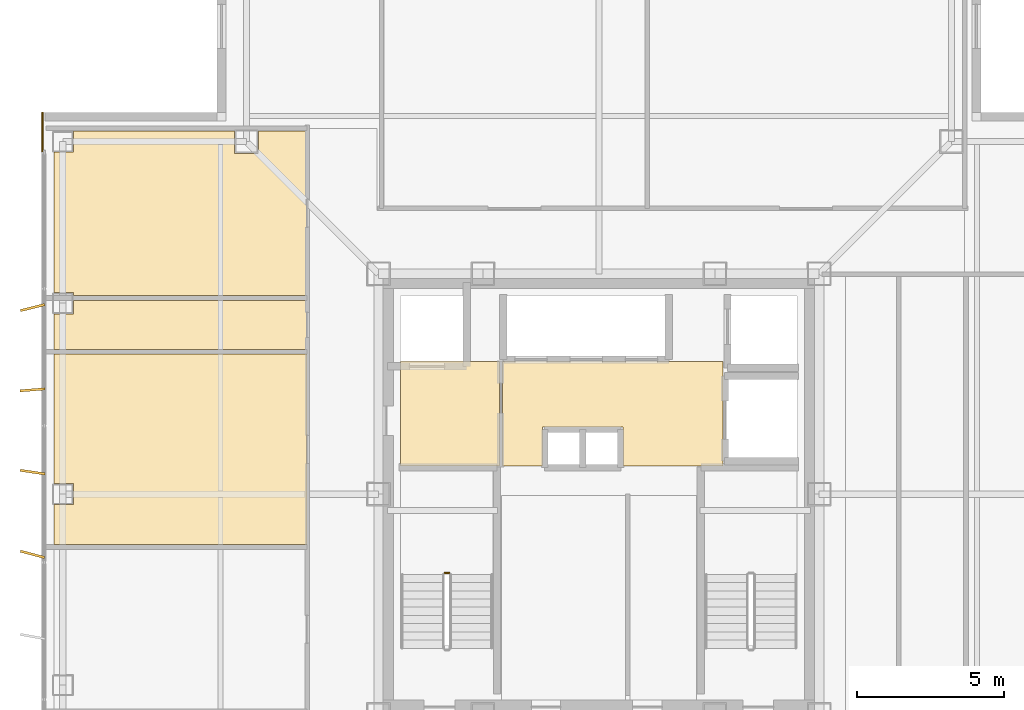
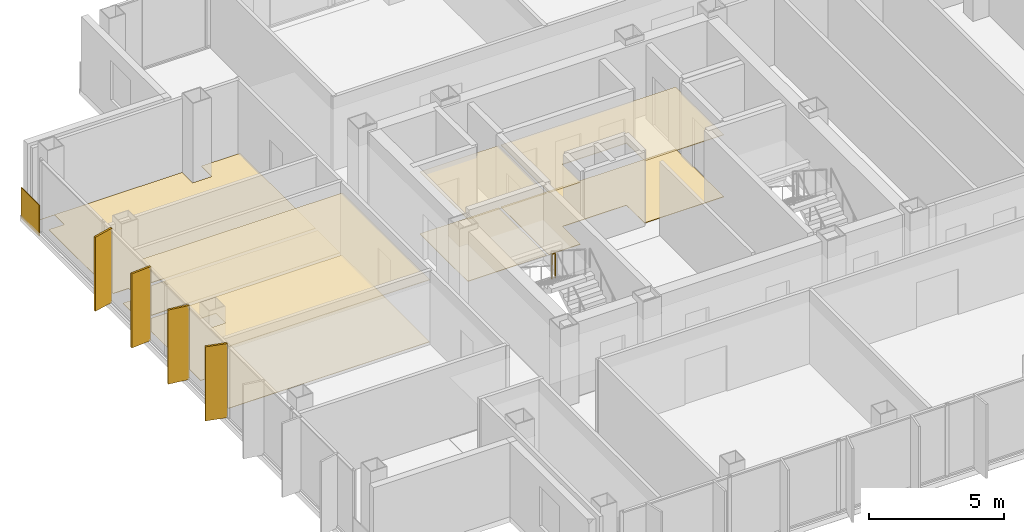
# One storey, part 12 of 15: 9 coverings, 4 shading devices, 1 railing.
"""IFC4 building model written with IfcOpenShell, lengths in metres."""

import ifcopenshell
import ifcopenshell.guid

model = None  # the IFC model being written
_history = None  # IfcOwnerHistory: only IFC2X3 demands one
_inside = {}  # id of a spatial element -> (the spatial element, [elements in it])
_under = {}  # id of a project, library or spatial element -> (it, [spatial elements below it])
_declared = {}  # id of a project -> (the project, [libraries it declares])
_typed = {}  # id of a type object -> (the type object, [elements of that type])
_made_of = {}  # id of a material, layer set ... -> (it, [elements and type objects made of it])


def new_model(schema):
    """Start an empty IFC model of exactly this schema.

    Asked for "IFC4X3", IfcOpenShell would pick the latest addendum, in which some entities
    have other attributes; the version numbers below select the first issue.
    IFC2X3 requires an IfcOwnerHistory on every rooted entity: one is made here for all.
    """
    global model, _history
    if schema == "IFC4X3":
        model = ifcopenshell.file(schema_version=(4, 3, 0, 0))
    else:
        model = ifcopenshell.file(schema=schema)
    _inside.clear()
    _under.clear()
    _declared.clear()
    _typed.clear()
    _made_of.clear()
    _history = None
    if model.schema == "IFC2X3":
        org = make("IfcOrganization", Name="unknown")
        user = make(
            "IfcPersonAndOrganization",
            ThePerson=make("IfcPerson", FamilyName="unknown"),
            TheOrganization=org,
        )
        app = make(
            "IfcApplication",
            ApplicationDeveloper=org,
            Version="unknown",
            ApplicationFullName="unknown",
            ApplicationIdentifier="unknown",
        )
        _history = make(
            "IfcOwnerHistory",
            OwningUser=user,
            OwningApplication=app,
            ChangeAction="ADDED",
            CreationDate=0,
        )
    return model


def make(cls, **values):
    """One entity of the class cls with the attributes given. An attribute that is None is left unset."""
    return model.create_entity(
        cls, **{name: value for name, value in values.items() if value is not None}
    )


def rooted(cls, **values):
    """An entity with a GlobalId (a new one), such as an element, a storey or a relation."""
    return make(cls, GlobalId=ifcopenshell.guid.new(), OwnerHistory=_history, **values)


def si_unit(unit_type, name, prefix=None):
    """IfcSIUnit, for example si_unit("LENGTHUNIT", "METRE", prefix="MILLI")."""
    return make("IfcSIUnit", UnitType=unit_type, Prefix=prefix, Name=name)


def assignment(units):
    """IfcUnitAssignment: the units of a project."""
    return None if units is None else make("IfcUnitAssignment", Units=units)


def point(xyz):
    """IfcCartesianPoint."""
    return None if xyz is None else make("IfcCartesianPoint", Coordinates=xyz)


def direction(xyz):
    """IfcDirection."""
    return None if xyz is None else make("IfcDirection", DirectionRatios=xyz)


def frame(location, z_axis=None, x_axis=None):
    """IfcAxis2Placement3D, a coordinate frame: its origin and axes. An axis left out is left unset."""
    return make(
        "IfcAxis2Placement3D",
        Location=point(location),
        Axis=direction(z_axis),
        RefDirection=direction(x_axis),
    )


def frame_2d(location, x_axis=None):
    """IfcAxis2Placement2D, a coordinate frame in the plane: its origin and x axis."""
    return make(
        "IfcAxis2Placement2D", Location=point(location), RefDirection=direction(x_axis)
    )


def origin():
    """The frame at (0, 0, 0) with its axes left unset."""
    return frame((0.0, 0.0, 0.0))


def origin_2d():
    """The frame at (0, 0) in the plane with its x axis left unset."""
    return frame_2d((0.0, 0.0))


def place(relative_to, where):
    """IfcLocalPlacement: puts the frame where relative to a parent placement (None: the world)."""
    return make(
        "IfcLocalPlacement", PlacementRelTo=relative_to, RelativePlacement=where
    )


def context(
    kind, dimensions, precision=None, world=None, true_north=None, identifier=None
):
    """IfcGeometricRepresentationContext, for example the 3D "Model" context."""
    return make(
        "IfcGeometricRepresentationContext",
        ContextIdentifier=identifier,
        ContextType=kind,
        CoordinateSpaceDimension=dimensions,
        Precision=precision,
        WorldCoordinateSystem=world,
        TrueNorth=true_north,
    )


def subcontext(parent, identifier, kind, view, scale=None):
    """IfcGeometricRepresentationSubContext, for example "Body" below "Model"."""
    return make(
        "IfcGeometricRepresentationSubContext",
        ContextIdentifier=identifier,
        ContextType=kind,
        ParentContext=parent,
        TargetScale=scale,
        TargetView=view,
    )


def project(units=None, contexts=None):
    """IfcProject with its units and contexts."""
    return rooted(
        "IfcProject",
        Name="project",
        RepresentationContexts=contexts,
        UnitsInContext=assignment(units),
    )


def spatial(cls, under=None, at=None, **own):
    """A site, building, storey or space (cls), placed at a placement, below another one or the project."""
    s = rooted(cls, ObjectPlacement=at, **own)
    if under is not None:
        _under.setdefault(under.id(), (under, []))[1].append(s)
    return s


def polyline(points):
    """IfcPolyline through the points."""
    return make("IfcPolyline", Points=[point(p) for p in points])


def profile(cls, at=None, kind="AREA", **sizes):
    """A parametric profile (cls). Its sizes go by their IFC names, for example OverallWidth=200.0."""
    return make(cls, ProfileType=kind, Position=at, **sizes)


def rectangle(**sizes):
    """IfcRectangleProfileDef."""
    return profile("IfcRectangleProfileDef", **sizes)


def circle(**sizes):
    """IfcCircleProfileDef."""
    return profile("IfcCircleProfileDef", **sizes)


def outline(outer, holes=None, kind="AREA"):
    """IfcArbitraryClosedProfileDef: a profile drawn as a closed curve; with holes, ...WithVoids."""
    if holes is None:
        return make("IfcArbitraryClosedProfileDef", ProfileType=kind, OuterCurve=outer)
    return make(
        "IfcArbitraryProfileDefWithVoids",
        ProfileType=kind,
        OuterCurve=outer,
        InnerCurves=holes,
    )


def extrude(swept, where, along, depth):
    """IfcExtrudedAreaSolid: the profile swept, set in the frame where, extruded along a direction by depth."""
    return make(
        "IfcExtrudedAreaSolid",
        SweptArea=swept,
        Position=where,
        ExtrudedDirection=direction(along),
        Depth=depth,
    )


def shape(context_of_items, identifier, shape_type, items):
    """IfcShapeRepresentation: the items that make up one representation, for example the "Body"."""
    return make(
        "IfcShapeRepresentation",
        ContextOfItems=context_of_items,
        RepresentationIdentifier=identifier,
        RepresentationType=shape_type,
        Items=items,
    )


def material(Name=None, Category=None):
    """IfcMaterial."""
    return make("IfcMaterial", Name=Name, Category=Category)


def layer(
    of_material, thickness, ventilated=None, Name=None, Category=None, Priority=None
):
    """IfcMaterialLayer: one layer of a wall or slab, of a material (None: an air gap)."""
    return make(
        "IfcMaterialLayer",
        Material=of_material,
        LayerThickness=thickness,
        IsVentilated=ventilated,
        Name=Name,
        Category=Category,
        Priority=Priority,
    )


def layer_set(layers, Name=None):
    """IfcMaterialLayerSet."""
    return make("IfcMaterialLayerSet", MaterialLayers=layers, LayerSetName=Name)


def made_of(thing, what):
    """Note that an element or type object is made of a material, layer set ...; save() writes the relation."""
    if what is not None:
        _made_of.setdefault(what.id(), (what, []))[1].append(thing)
    return thing


def type_object(cls, material=None, **own):
    """A type object (cls), such as IfcWallType, which elements share."""
    return made_of(rooted(cls, **own), material)


def element(
    cls,
    number,
    at=None,
    inside=None,
    cuts=None,
    type_object=None,
    material=None,
    context=None,
    identifier="Body",
    shape_type=None,
    held_by="IfcProductDefinitionShape",
    body=None,
    shapes=None,
    **own,
):
    """One element of the class cls, such as IfcWall. Its Tag is "e" and its number.

    at: its placement. inside: the storey or other place that contains it. cuts: it is an
    opening in that element (IfcRelVoidsElement). A single representation is given by context,
    identifier, shape_type and body (its items); several are given by shapes. held_by: the class
    of the entity that holds the representations. save() writes the other relations.
    """
    e = rooted(cls, Tag="e%d" % number, ObjectPlacement=at, **own)
    if body is not None:
        shapes = [shape(context, identifier, shape_type, body)]
    if shapes is not None:
        e.Representation = make(held_by, Representations=shapes)
    if inside is not None:
        _inside.setdefault(inside.id(), (inside, []))[1].append(e)
    if cuts is not None:
        rooted(
            "IfcRelVoidsElement", RelatingBuildingElement=cuts, RelatedOpeningElement=e
        )
    if type_object is not None:
        _typed.setdefault(type_object.id(), (type_object, []))[1].append(e)
    return made_of(e, material)


def aggregate(whole, parts):
    """IfcRelAggregates: a whole, such as a stair, and the parts it consists of."""
    return rooted("IfcRelAggregates", RelatingObject=whole, RelatedObjects=parts)


def save(model, path):
    """Write the relations noted so far, then the file.

    IfcRelAggregates (storeys below a building ...), IfcRelContainedInSpatialStructure (elements
    in a storey), IfcRelDefinesByType, IfcRelAssociatesMaterial and IfcRelDeclares: one each for
    every whole, place, type object, material and project.
    """
    for whole, parts in _under.values():
        aggregate(whole, parts)
    for where, things in _inside.values():
        rooted(
            "IfcRelContainedInSpatialStructure",
            RelatedElements=things,
            RelatingStructure=where,
        )
    for kind, things in _typed.values():
        rooted("IfcRelDefinesByType", RelatedObjects=things, RelatingType=kind)
    for what, things in _made_of.values():
        rooted("IfcRelAssociatesMaterial", RelatedObjects=things, RelatingMaterial=what)
    for by, libraries in _declared.values():
        rooted("IfcRelDeclares", RelatingContext=by, RelatedDefinitions=libraries)
    model.write(path)


model = new_model("IFC4")

# Units and contexts
model_context = context("Model", 3, precision=1e-05, world=origin(), true_north=direction((0.0, 1.0)))
body_context = subcontext(model_context, "Body", "Model", "MODEL_VIEW")
ifc_project = project(units=[si_unit("LENGTHUNIT", "METRE"), si_unit("AREAUNIT", "SQUARE_METRE"), si_unit("VOLUMEUNIT", "CUBIC_METRE"), si_unit("PLANEANGLEUNIT", "RADIAN"), si_unit("MASSUNIT", "GRAM", prefix="KILO")], contexts=[model_context])

# Site, building, storey
site_placement = place(None, origin())
site = spatial("IfcSite", under=ifc_project, at=site_placement, CompositionType="ELEMENT")
building_placement = place(site_placement, origin())
building = spatial("IfcBuilding", under=site, at=building_placement, Name="Trevonay Congress Spire", CompositionType="ELEMENT")
storey_placement = place(building_placement, frame((0.0, 0.0, 282.800048828125)))
storey = spatial("IfcBuildingStorey", under=building, at=storey_placement, Name="L74", CompositionType="ELEMENT", Elevation=282.800048828125)

# Coverings
ifc_material_1 = material(Name="Acoustic Mineral Fibre Board", Category="gypsum")
ifc_layer_1 = layer(ifc_material_1, 0.02490234375, Name="Acoustic Mineral Fibre Board")
ifc_layer_set_1 = layer_set([ifc_layer_1], Name="Acoustic Mineral Fibre Board")
covering_type_1 = type_object("IfcCoveringType", Name="COV-CEIL-ACOUSTIC", PredefinedType="CEILING", material=ifc_layer_set_1)
covering_1_placement = place(storey_placement, frame((0.0, 0.0, 2.81005859375)))
element("IfcCovering", 1, at=covering_1_placement, inside=storey, type_object=covering_type_1, Name="L74 Firefighting Lift Lobby West acoustic suspended ceiling", PredefinedType="CEILING", context=body_context, shape_type="SweptSolid", body=[
    extrude(outline(polyline([(-6.75, 0.9599609375), (-3.3798828125, 0.9599609375), (-3.3798828125, 4.52001953125), (-6.75, 4.52001953125), (-6.75, 0.9599609375)])), origin(), (0.0, 0.0, 1.0), 0.02490234375),
])
covering_2_placement = place(storey_placement, frame((0.0, 0.0, 2.81005859375)))
element("IfcCovering", 2, at=covering_2_placement, inside=storey, type_object=covering_type_1, Name="L74 Central and High-Rise Passenger Lift Lobby acoustic suspended ceiling", PredefinedType="CEILING", context=body_context, shape_type="SweptSolid", body=[
    extrude(outline(polyline([(-3.280029296875, 0.949951171875), (-1.919921875, 0.949951171875), (-1.919921875, 2.280029296875), (0.820068359375, 2.280029296875), (0.820068359375, 0.949951171875), (4.219970703125, 0.949951171875), (4.219970703125, 4.52001953125), (-3.280029296875, 4.52001953125), (-3.280029296875, 0.949951171875)])), origin(), (0.0, 0.0, 1.0), 0.02490234375),
])
covering_3_placement = place(storey_placement, frame((0.0, 0.0, 2.81005859375)))
element("IfcCovering", 3, at=covering_3_placement, inside=storey, type_object=covering_type_1, Name="L74 Infrastructure Desk Office acoustic suspended ceiling", PredefinedType="CEILING", context=body_context, shape_type="SweptSolid", body=[
    extrude(outline(polyline([(-18.550048828125, 4.77001953125), (-9.929931640625, 4.77001953125), (-9.929931640625, -1.719970703125), (-18.550048828125, -1.719970703125), (-18.550048828125, -0.360107421875), (-17.889892578125, -0.360107421875), (-17.889892578125, 0.360107421875), (-18.550048828125, 0.360107421875), (-18.550048828125, 4.77001953125)])), origin(), (0.0, 0.0, 1.0), 0.02490234375),
])
ifc_material_2 = material(Name="Polished Granite Floor Tile", Category="masonry")
ifc_layer_2 = layer(ifc_material_2, 0.02001953125, Name="Polished Granite Floor Tile")
ifc_layer_set_2 = layer_set([ifc_layer_2], Name="Polished Granite Floor Tile")
covering_type_2 = type_object("IfcCoveringType", Name="COV-FLOOR-STONE", PredefinedType="FLOORING", material=ifc_layer_set_2)
covering_4_placement = place(storey_placement, origin())
element("IfcCovering", 4, at=covering_4_placement, inside=storey, type_object=covering_type_2, Name="L74 Firefighting Lift Lobby West floor finish", PredefinedType="FLOORING", context=body_context, shape_type="SweptSolid", body=[
    extrude(outline(polyline([(-6.75, 0.9599609375), (-3.3798828125, 0.9599609375), (-3.3798828125, 4.52001953125), (-6.75, 4.52001953125), (-6.75, 0.9599609375)])), origin(), (0.0, 0.0, 1.0), 0.02001953125),
])
covering_5_placement = place(storey_placement, origin())
element("IfcCovering", 5, at=covering_5_placement, inside=storey, type_object=covering_type_2, Name="L74 Central and High-Rise Passenger Lift Lobby floor finish", PredefinedType="FLOORING", context=body_context, shape_type="SweptSolid", body=[
    extrude(outline(polyline([(-3.280029296875, 0.949951171875), (-1.919921875, 0.949951171875), (-1.919921875, 2.280029296875), (0.820068359375, 2.280029296875), (0.820068359375, 0.949951171875), (4.219970703125, 0.949951171875), (4.219970703125, 4.52001953125), (-3.280029296875, 4.52001953125), (-3.280029296875, 0.949951171875)])), origin(), (0.0, 0.0, 1.0), 0.02001953125),
])
covering_6_placement = place(storey_placement, origin())
element("IfcCovering", 6, at=covering_6_placement, inside=storey, type_object=covering_type_2, Name="L74 Accessible WC floor finish", PredefinedType="FLOORING", context=body_context, shape_type="SweptSolid", body=[
    extrude(outline(polyline([(-9.929931640625, 6.60009765625), (-9.929931640625, 4.929931640625), (-18.550048828125, 4.929931640625), (-18.550048828125, 6.139892578125), (-17.889892578125, 6.139892578125), (-17.889892578125, 6.60009765625), (-9.929931640625, 6.60009765625)])), origin(), (0.0, 0.0, 1.0), 0.02001953125),
])
covering_7_placement = place(storey_placement, origin())
element("IfcCovering", 7, at=covering_7_placement, inside=storey, type_object=covering_type_2, Name="L74 Floor Supplies and Copy Room floor finish", PredefinedType="FLOORING", context=body_context, shape_type="SweptSolid", body=[
    extrude(outline(polyline([(-9.929931640625, 12.3701171875), (-9.929931640625, 6.760009765625), (-17.889892578125, 6.760009765625), (-17.889892578125, 6.860107421875), (-18.550048828125, 6.860107421875), (-18.550048828125, 11.639892578125), (-17.889892578125, 11.639892578125), (-17.889892578125, 12.360107421875), (-18.550048828125, 12.360107421875), (-18.550048828125, 12.3701171875), (-12.409912109375, 12.3701171875), (-12.409912109375, 11.590087890625), (-11.590087890625, 11.590087890625), (-11.590087890625, 12.3701171875), (-9.929931640625, 12.3701171875)])), origin(), (0.0, 0.0, 1.0), 0.02001953125),
])
ifc_material_3 = material(Name="Engineered Oak Flooring", Category="wood")
ifc_layer_3 = layer(ifc_material_3, 0.01806640625, Name="Engineered Oak Flooring")
ifc_layer_set_3 = layer_set([ifc_layer_3], Name="Engineered Oak Flooring")
covering_type_3 = type_object("IfcCoveringType", Name="COV-FLOOR-TIMBER", PredefinedType="FLOORING", material=ifc_layer_set_3)
covering_8_placement = place(storey_placement, origin())
element("IfcCovering", 8, at=covering_8_placement, inside=storey, type_object=covering_type_3, Name="L74 Infrastructure Desk Office floor finish", PredefinedType="FLOORING", context=body_context, shape_type="SweptSolid", body=[
    extrude(outline(polyline([(-18.550048828125, 4.77001953125), (-9.929931640625, 4.77001953125), (-9.929931640625, -1.719970703125), (-18.550048828125, -1.719970703125), (-18.550048828125, -0.360107421875), (-17.889892578125, -0.360107421875), (-17.889892578125, 0.360107421875), (-18.550048828125, 0.360107421875), (-18.550048828125, 4.77001953125)])), origin(), (0.0, 0.0, 1.0), 0.01806640625),
])
ifc_material_4 = material(Name="Pale Anodised Aluminium EN AW-6063-T6", Category="aluminium")
ifc_layer_4 = layer(ifc_material_4, 0.0400390625, Name="Pale Anodised Aluminium EN AW-6063-T6")
ifc_layer_set_4 = layer_set([ifc_layer_4], Name="Pale Anodised Aluminium EN AW-6063-T6")
covering_type_4 = type_object("IfcCoveringType", Name="COV-SPANDREL-PALE-METAL", PredefinedType="CLADDING", material=ifc_layer_set_4)
covering_9_placement = place(storey_placement, frame((-18.93994140625, 11.64990234375, -0.150146484375), z_axis=(0.0, 0.0, 1.0), x_axis=(0.0, 1.0, 0.0)))
element("IfcCovering", 9, at=covering_9_placement, inside=storey, type_object=covering_type_4, Name="L74 NW corner pier spandrel cladding 1", PredefinedType="CLADDING", context=body_context, shape_type="SweptSolid", body=[
    extrude(rectangle(XDim=1.35009765625, YDim=0.0400390625, at=frame_2d((0.675048828125, 0.0))), origin(), (0.0, 0.0, 1.0), 1.400146484375),
])

# Railing
railing_type = type_object("IfcRailingType", Name="RAL-STAIR-GUARD-110", PredefinedType="GUARDRAIL", material=ifc_material_4)
railing_placement = place(storey_placement, frame((-5.10009765625, -2.679931640625, 1.800048828125)))
element("IfcRailing", 10, at=railing_placement, inside=storey, type_object=railing_type, Name="L74 ST-1 stair guard 2", PredefinedType="GUARDRAIL", context=body_context, shape_type="SweptSolid", body=[
    extrude(circle(Radius=0.02392578125, at=origin_2d()), frame((0.0, 0.0, 1.1259765625), z_axis=(-1.0, 0.0, 0.0), x_axis=(0.0, -1.0, 0.0)), (0.0, 0.0, 1.0), 0.14990234375),
    extrude(circle(Radius=0.02099609375, at=origin_2d()), origin(), (0.0, 0.0, 1.0), 1.101806640625),
    extrude(circle(Radius=0.02099609375, at=origin_2d()), frame((-0.14990234375, 0.0, 0.0)), (0.0, 0.0, 1.0), 1.101806640625),
])

# Shading devices
shading_device_type = type_object("IfcShadingDeviceType", Name="SHD-FIN-Z4-PALE-METAL", PredefinedType="USERDEFINED", material=ifc_material_4)
for number, where, z_axis, x_axis, name in (
    (11, (-19.280029296875, -2.050048828125, 0.0), (0.0, 0.0, 1.0), (0.258144638645, 0.966106280664, 0.0), "L74 W vertical pale-metal solar fin 4"),
    (12, (-19.280029296875, 0.75, 0.0), (0.0, 0.0, 1.0), (0.146946275799, 0.989144474801, 0.0), "L74 W vertical pale-metal solar fin 5"),
    (13, (-19.280029296875, 3.550048828125, 0.0), (0.0, 0.0, 1.0), (-0.077067060513, 0.997025911491, 0.0), "L74 W vertical pale-metal solar fin 6"),
    (14, (-19.280029296875, 6.35009765625, 0.0), (0.0, 0.0, 1.0), (-0.241244442494, 0.970464383152, 0.0), "L74 W vertical pale-metal solar fin 7"),
):
    element("IfcShadingDevice", number, at=place(storey_placement, frame(where, z_axis=z_axis, x_axis=x_axis)), inside=storey, type_object=shading_device_type, Name=name, ObjectType="SOLAR FIN", PredefinedType="USERDEFINED", context=body_context, shape_type="SweptSolid", body=[
        extrude(rectangle(XDim=0.080078125, YDim=0.85009765625, at=origin_2d()), origin(), (0.0, 0.0, 1.0), 3.360107421875),
    ])

save(model, "model.ifc")
